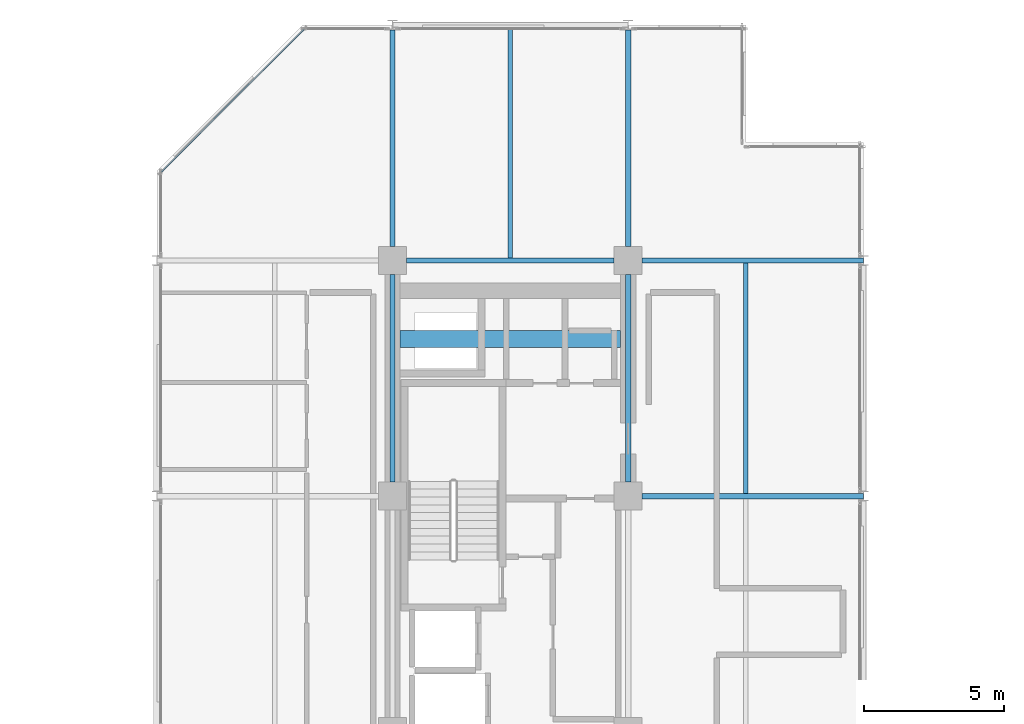
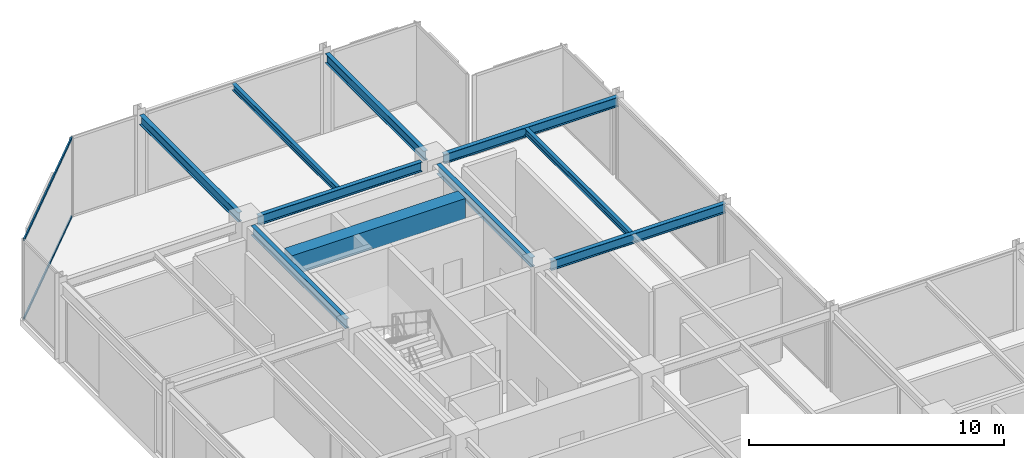
# One storey, part 18 of 29: 10 beams, 2 members, 1 element without a shape of its own.
"""IFC4 building model written with IfcOpenShell, lengths in metres."""

from ifc_helpers import new_model, si_unit, direction, frame, origin, origin_2d, place, context, subcontext, project, spatial, rectangle, hollow_rectangle, i_section, extrude, material, layer, layer_set, material_profile, profile_set, type_object, element, aggregate, save


model = new_model("IFC4")

# Units and contexts
model_context = context("Model", 3, precision=1e-05, world=origin(), true_north=direction((0.0, 1.0)))
body_context = subcontext(model_context, "Body", "Model", "MODEL_VIEW")
ifc_project = project(units=[si_unit("LENGTHUNIT", "METRE"), si_unit("AREAUNIT", "SQUARE_METRE"), si_unit("VOLUMEUNIT", "CUBIC_METRE"), si_unit("PLANEANGLEUNIT", "RADIAN"), si_unit("MASSUNIT", "GRAM", prefix="KILO")], contexts=[model_context])

# Site, building, storey
site_placement = place(None, origin())
site = spatial("IfcSite", under=ifc_project, at=site_placement, CompositionType="ELEMENT")
building_placement = place(site_placement, origin())
building = spatial("IfcBuilding", under=site, at=building_placement, Name="Nerrivon Quay Data Exchange", CompositionType="ELEMENT")
storey_placement = place(building_placement, frame((0.0, 0.0, 187.800048828125)))
storey = spatial("IfcBuildingStorey", under=building, at=storey_placement, Name="L44", CompositionType="ELEMENT", Elevation=187.800048828125)

# Beams
ifc_material_1 = material(Name="Concrete N50 (50 MPa)", Category="concrete")
ifc_material_profile_1 = material_profile(ifc_material_1, rectangle(XDim=0.60009765625, YDim=0.949951171875, at=origin_2d()), Name="RC-CB-600x950")
ifc_profile_set_1 = profile_set([ifc_material_profile_1], Name="Concrete N50 (50 MPa)")
beam_type_1 = type_object("IfcBeamType", Name="BM-CB2-600x950", PredefinedType="LINTEL", material=ifc_profile_set_1)
beam_1_placement = place(storey_placement, frame((8.675048828125, 39.199951171875, 3.349853515625), z_axis=(1.0, 0.0, 0.0), x_axis=(0.0, 1.0, 0.0)))
element("IfcBeam", 1, at=beam_1_placement, inside=storey, type_object=beam_type_1, Name="L44 West Core Coupling Beam", PredefinedType="LINTEL", context=body_context, shape_type="SweptSolid", body=[
    extrude(rectangle(XDim=0.60009765625, YDim=0.949951171875, at=origin_2d()), origin(), (0.0, 0.0, 1.0), 7.849853515625),
])
ifc_material_2 = material(Name="Steel Grade 350", Category="steel")
ifc_material_profile_2 = material_profile(ifc_material_2, i_section(OverallWidth=0.19091796875, OverallDepth=0.4599609375, WebThickness=0.010009765625, FlangeThickness=0.01611328125, FilletRadius=0.011474609375, at=origin_2d()), Name="460UB82.1")
ifc_profile_set_2 = profile_set([ifc_material_profile_2], Name="Steel Grade 350")
beam_type_2 = type_object("IfcBeamType", Name="BM-G5-460UB82", PredefinedType="BEAM", material=ifc_profile_set_2)
beam_2_placement = place(storey_placement, frame((17.300048828125, 33.60009765625, 3.594970703125), z_axis=(1.0, 0.0, 0.0), x_axis=(0.0, 1.0, 0.0)))
element("IfcBeam", 2, at=beam_2_placement, inside=storey, type_object=beam_type_2, Name="L44 EW Girder Y=33.6 (16.8..25.2)", PredefinedType="BEAM", context=body_context, shape_type="SweptSolid", body=[
    extrude(i_section(OverallWidth=0.19091796875, OverallDepth=0.4599609375, WebThickness=0.010009765625, FlangeThickness=0.01611328125, FilletRadius=0.011474609375, at=origin_2d()), origin(), (0.0, 0.0, 1.0), 7.889892578125),
])
beam_3_placement = place(storey_placement, frame((8.89990234375, 42.0, 3.594970703125), z_axis=(1.0, 0.0, 0.0), x_axis=(0.0, 1.0, 0.0)))
element("IfcBeam", 3, at=beam_3_placement, inside=storey, type_object=beam_type_2, Name="L44 EW Girder Y=42.0 (8.4..16.8)", PredefinedType="BEAM", context=body_context, shape_type="SweptSolid", body=[
    extrude(i_section(OverallWidth=0.19091796875, OverallDepth=0.4599609375, WebThickness=0.010009765625, FlangeThickness=0.01611328125, FilletRadius=0.011474609375, at=origin_2d()), origin(), (0.0, 0.0, 1.0), 7.400146484375),
])
beam_4_placement = place(storey_placement, frame((17.300048828125, 42.0, 3.594970703125), z_axis=(1.0, 0.0, 0.0), x_axis=(0.0, 1.0, 0.0)))
element("IfcBeam", 4, at=beam_4_placement, inside=storey, type_object=beam_type_2, Name="L44 EW Girder Y=42.0 (16.8..25.2)", PredefinedType="BEAM", context=body_context, shape_type="SweptSolid", body=[
    extrude(i_section(OverallWidth=0.19091796875, OverallDepth=0.4599609375, WebThickness=0.010009765625, FlangeThickness=0.01611328125, FilletRadius=0.011474609375, at=origin_2d()), origin(), (0.0, 0.0, 1.0), 7.889892578125),
])
ifc_material_profile_3 = material_profile(ifc_material_2, i_section(OverallWidth=0.18994140625, OverallDepth=0.4541015625, WebThickness=0.008544921875, FlangeThickness=0.0126953125, FilletRadius=0.011474609375, at=origin_2d()), Name="460UB67.1")
ifc_profile_set_3 = profile_set([ifc_material_profile_3], Name="Steel Grade 350")
beam_type_3 = type_object("IfcBeamType", Name="BM-G6-460UB67", PredefinedType="BEAM", material=ifc_profile_set_3)
beam_5_placement = place(storey_placement, frame((8.39990234375, 34.10009765625, 3.597900390625), z_axis=(0.0, 1.0, 0.0), x_axis=(-1.0, 0.0, 0.0)))
element("IfcBeam", 5, at=beam_5_placement, inside=storey, type_object=beam_type_3, Name="L44 NS Girder X=8.4 (33.6..42.0)", PredefinedType="BEAM", context=body_context, shape_type="SweptSolid", body=[
    extrude(i_section(OverallWidth=0.18994140625, OverallDepth=0.4541015625, WebThickness=0.008544921875, FlangeThickness=0.0126953125, FilletRadius=0.011474609375, at=origin_2d()), origin(), (0.0, 0.0, 1.0), 7.39990234375),
])
beam_6_placement = place(storey_placement, frame((8.39990234375, 42.5, 3.597900390625), z_axis=(0.0, 1.0, 0.0), x_axis=(-1.0, 0.0, 0.0)))
element("IfcBeam", 6, at=beam_6_placement, inside=storey, type_object=beam_type_3, Name="L44 NS Girder X=8.4 (42.0..50.4)", PredefinedType="BEAM", context=body_context, shape_type="SweptSolid", body=[
    extrude(i_section(OverallWidth=0.18994140625, OverallDepth=0.4541015625, WebThickness=0.008544921875, FlangeThickness=0.0126953125, FilletRadius=0.011474609375, at=origin_2d()), origin(), (0.0, 0.0, 1.0), 7.72509765625),
])
beam_7_placement = place(storey_placement, frame((16.800048828125, 34.10009765625, 3.597900390625), z_axis=(0.0, 1.0, 0.0), x_axis=(-1.0, 0.0, 0.0)))
element("IfcBeam", 7, at=beam_7_placement, inside=storey, type_object=beam_type_3, Name="L44 NS Girder X=16.8 (33.6..42.0)", PredefinedType="BEAM", context=body_context, shape_type="SweptSolid", body=[
    extrude(i_section(OverallWidth=0.18994140625, OverallDepth=0.4541015625, WebThickness=0.008544921875, FlangeThickness=0.0126953125, FilletRadius=0.011474609375, at=origin_2d()), origin(), (0.0, 0.0, 1.0), 7.39990234375),
])
beam_8_placement = place(storey_placement, frame((16.800048828125, 42.5, 3.597900390625), z_axis=(0.0, 1.0, 0.0), x_axis=(-1.0, 0.0, 0.0)))
element("IfcBeam", 8, at=beam_8_placement, inside=storey, type_object=beam_type_3, Name="L44 NS Girder X=16.8 (42.0..50.4)", PredefinedType="BEAM", context=body_context, shape_type="SweptSolid", body=[
    extrude(i_section(OverallWidth=0.18994140625, OverallDepth=0.4541015625, WebThickness=0.008544921875, FlangeThickness=0.0126953125, FilletRadius=0.011474609375, at=origin_2d()), origin(), (0.0, 0.0, 1.0), 7.72509765625),
])
ifc_material_profile_4 = material_profile(ifc_material_2, i_section(OverallWidth=0.166015625, OverallDepth=0.306884765625, WebThickness=0.006591796875, FlangeThickness=0.01171875, FilletRadius=0.011474609375, at=origin_2d()), Name="310UB46.2")
ifc_profile_set_4 = profile_set([ifc_material_profile_4], Name="Steel Grade 350")
beam_type_4 = type_object("IfcBeamType", Name="BM-J5-310UB46", PredefinedType="JOIST", material=ifc_profile_set_4)
beam_9_placement = place(storey_placement, frame((12.60009765625, 42.095458984375, 3.67138671875), z_axis=(0.0, 1.0, 0.0), x_axis=(-1.0, 0.0, 0.0)))
element("IfcBeam", 9, at=beam_9_placement, inside=storey, type_object=beam_type_4, Name="L44 Secondary Joist X=12.6 (42.0..50.4)", PredefinedType="JOIST", context=body_context, shape_type="SweptSolid", body=[
    extrude(i_section(OverallWidth=0.166015625, OverallDepth=0.306884765625, WebThickness=0.006591796875, FlangeThickness=0.01171875, FilletRadius=0.011474609375, at=origin_2d()), origin(), (0.0, 0.0, 1.0), 8.20458984375),
])
beam_10_placement = place(storey_placement, frame((21.0, 33.695556640625, 3.67138671875), z_axis=(0.0, 1.0, 0.0), x_axis=(-1.0, 0.0, 0.0)))
element("IfcBeam", 10, at=beam_10_placement, inside=storey, type_object=beam_type_4, Name="L44 Secondary Joist X=21.0 (33.6..42.0)", PredefinedType="JOIST", context=body_context, shape_type="SweptSolid", body=[
    extrude(i_section(OverallWidth=0.166015625, OverallDepth=0.306884765625, WebThickness=0.006591796875, FlangeThickness=0.01171875, FilletRadius=0.011474609375, at=origin_2d()), origin(), (0.0, 0.0, 1.0), 8.208984375),
])

# Curtain wall, members
ifc_material_3 = material(Name="Anodised aluminium 6063-T6", Category="aluminium")
ifc_layer = layer(ifc_material_3, 0.195068359375)
ifc_layer_set = layer_set([ifc_layer], Name="Anodised aluminium 6063-T6")
curtain_wall_type = type_object("IfcCurtainWallType", Name="CW-SYS-06", PredefinedType="NOTDEFINED", material=ifc_layer_set)
curtain_wall_placement = place(storey_placement, origin())
curtain_wall = element("IfcCurtainWall", 11, at=curtain_wall_placement, inside=storey, type_object=curtain_wall_type, Name="L44 Unitised Curtain Wall 7", PredefinedType="NOTDEFINED")
ifc_material_profile_5 = material_profile(ifc_material_3, hollow_rectangle(XDim=0.06005859375, YDim=0.1201171875, WallThickness=0.003173828125, at=origin_2d()), Name="ALU-TRAN-120x60")
ifc_profile_set_5 = profile_set([ifc_material_profile_5], Name="Anodised aluminium 6063-T6")
member_type = type_object("IfcMemberType", Name="CWT-120x60", PredefinedType="USERDEFINED", material=ifc_profile_set_5)
member_1_placement = place(storey_placement, frame((0.152099609375, 45.154052734375, 0.032470703125), z_axis=(0.707089835771, 0.707123726196, 0.0), x_axis=(-0.707123726196, 0.707089835771, 0.0)))
member_1 = element("IfcMember", 12, at=member_1_placement, type_object=member_type, Name="CW06 transom 1.1", ObjectType="TRANSOM", PredefinedType="USERDEFINED", context=body_context, shape_type="SweptSolid", body=[
    extrude(hollow_rectangle(XDim=0.06005859375, YDim=0.1201171875, WallThickness=0.003173828125, at=origin_2d()), origin(), (0.0, 0.0, 1.0), 7.203857421875),
])
member_2_placement = place(storey_placement, frame((0.152099609375, 45.154052734375, 3.79248046875), z_axis=(0.707089835771, 0.707123726196, 0.0), x_axis=(-0.707123726196, 0.707089835771, 0.0)))
member_2 = element("IfcMember", 13, at=member_2_placement, type_object=member_type, Name="CW06 transom 1.2", ObjectType="TRANSOM", PredefinedType="USERDEFINED", context=body_context, shape_type="SweptSolid", body=[
    extrude(hollow_rectangle(XDim=0.06005859375, YDim=0.1201171875, WallThickness=0.003173828125, at=origin_2d()), origin(), (0.0, 0.0, 1.0), 7.203857421875),
])
aggregate(curtain_wall, [member_1, member_2])

save(model, "model.ifc")
